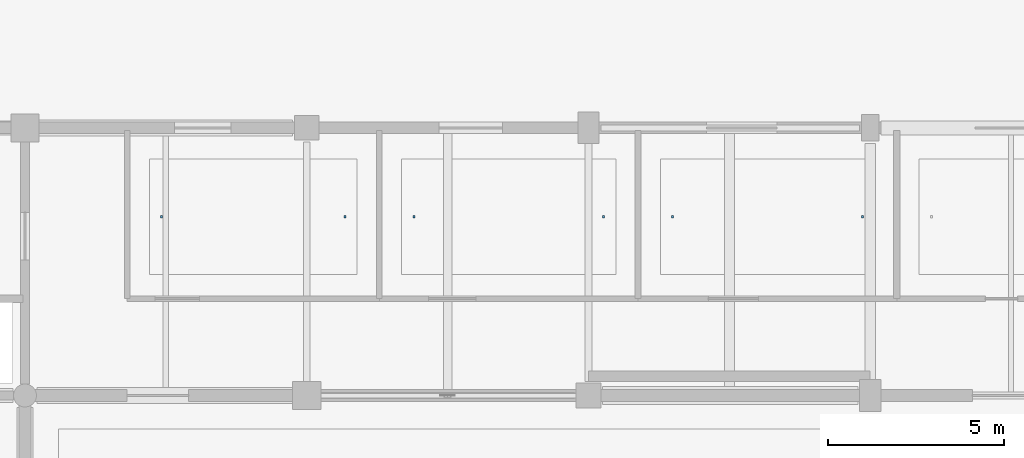
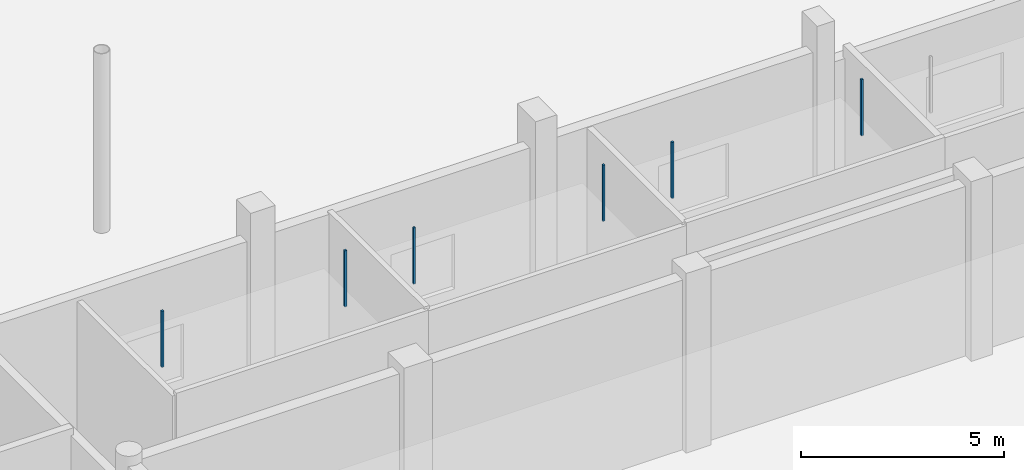
# One storey, part 78 of 126: 6 discrete accessories.
"""IFC4 building model written with IfcOpenShell, lengths in metres."""

from ifc_helpers import new_model, si_unit, direction, frame, origin, origin_2d, place, context, subcontext, project, spatial, rectangle, extrude, material, type_object, element, save


model = new_model("IFC4")

# Units and contexts
model_context = context("Model", 3, precision=1e-05, world=origin(), true_north=direction((0.0, 1.0)))
body_context = subcontext(model_context, "Body", "Model", "MODEL_VIEW")
ifc_project = project(units=[si_unit("LENGTHUNIT", "METRE"), si_unit("AREAUNIT", "SQUARE_METRE"), si_unit("VOLUMEUNIT", "CUBIC_METRE"), si_unit("PLANEANGLEUNIT", "RADIAN"), si_unit("MASSUNIT", "GRAM", prefix="KILO")], contexts=[model_context])

# Site, building, storey
site_placement = place(None, origin())
site = spatial("IfcSite", under=ifc_project, at=site_placement, CompositionType="ELEMENT")
building_placement = place(site_placement, origin())
building = spatial("IfcBuilding", under=site, at=building_placement, Name="Khelvaren Railside Concert Hall", CompositionType="ELEMENT")
storey_placement = place(building_placement, origin())
storey = spatial("IfcBuildingStorey", under=building, at=storey_placement, Name="L00", CompositionType="ELEMENT", Elevation=0.0)

# Discrete accessories
ifc_material = material(Name="Galvanised steel acoustic ceiling hanger rod", Category="steel")
discrete_accessory_type = type_object("IfcDiscreteAccessoryType", Name="BRK62", PredefinedType="BRACKET", material=ifc_material)
for number, where, z_axis, x_axis, name in (
    (1, (11.8798828125, 43.074951171875, 3.429931640625), (0.0, 0.0, 1.0), (1.0, 0.0, 0.0), "Acoustic Ceiling Suspension Bracket 8-1"),
    (2, (17.0830078125, 43.074951171875, 3.429931640625), (0.0, 0.0, 1.0), (1.0, 0.0, 0.0), "Acoustic Ceiling Suspension Bracket 8-2"),
    (3, (19.04296875, 43.074951171875, 3.429931640625), (0.0, 0.0, 1.0), (1.0, 0.0, 0.0), "Acoustic Ceiling Suspension Bracket 9-1"),
    (4, (24.429931640625, 43.074951171875, 3.429931640625), (0.0, 0.0, 1.0), (1.0, 0.0, 0.0), "Acoustic Ceiling Suspension Bracket 9-2"),
    (5, (26.389892578125, 43.074951171875, 3.429931640625), (0.0, 0.0, 1.0), (1.0, 0.0, 0.0), "Acoustic Ceiling Suspension Bracket 10-1"),
    (6, (31.777099609375, 43.074951171875, 3.429931640625), (0.0, 0.0, 1.0), (1.0, 0.0, 0.0), "Acoustic Ceiling Suspension Bracket 10-2"),
):
    element("IfcDiscreteAccessory", number, at=place(storey_placement, frame(where, z_axis=z_axis, x_axis=x_axis)), inside=storey, type_object=discrete_accessory_type, Name=name, PredefinedType="BRACKET", context=body_context, shape_type="SweptSolid", body=[
        extrude(rectangle(XDim=0.06005859375, YDim=0.06005859375, at=origin_2d()), origin(), (0.0, 0.0, 1.0), 1.68994140625),
    ])

save(model, "model.ifc")
